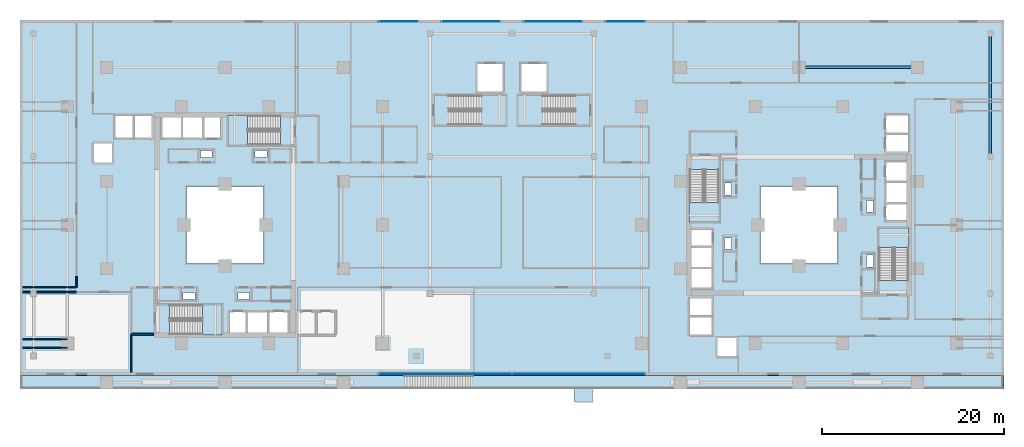
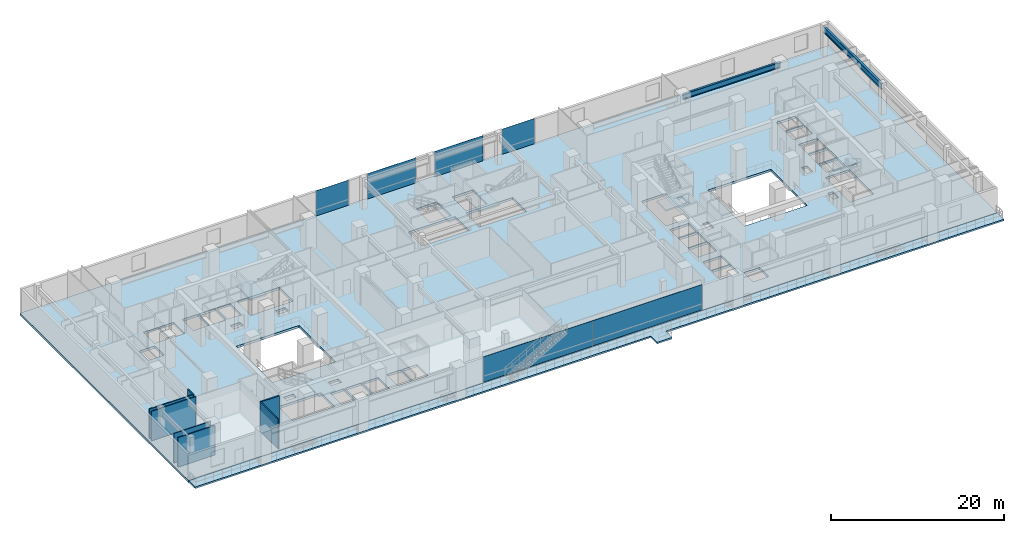
# One storey, part 10 of 22: 8 slabs, 7 walls, 6 plates, 2 beams, 11 elements without a shape of their own.
"""IFC4 building model written with IfcOpenShell, lengths in metres."""

from ifc_helpers import new_model, si_unit, direction, frame, frame_2d, origin, origin_2d, place, context, subcontext, project, spatial, polyline, rectangle, i_section, outline, extrude, material, layer, layer_set, material_profile, profile_set, type_object, element, aggregate, save


model = new_model("IFC4")

# Units and contexts
model_context = context("Model", 3, precision=1e-05, world=origin(), true_north=direction((0.0, 1.0)))
body_context = subcontext(model_context, "Body", "Model", "MODEL_VIEW")
ifc_project = project(units=[si_unit("LENGTHUNIT", "METRE"), si_unit("AREAUNIT", "SQUARE_METRE"), si_unit("VOLUMEUNIT", "CUBIC_METRE"), si_unit("PLANEANGLEUNIT", "RADIAN"), si_unit("MASSUNIT", "GRAM", prefix="KILO")], contexts=[model_context])

# Site, building, storey
site_placement = place(None, origin())
site = spatial("IfcSite", under=ifc_project, at=site_placement, CompositionType="ELEMENT")
building_placement = place(site_placement, origin())
building = spatial("IfcBuilding", under=site, at=building_placement, Name="Thornwick Lancets Civic Towers", CompositionType="ELEMENT")
storey_placement = place(building_placement, frame((0.0, 0.0, 18.60009765625)))
storey = spatial("IfcBuildingStorey", under=building, at=storey_placement, Name="L04", CompositionType="ELEMENT", Elevation=18.60009765625)

# Beams
ifc_material_1 = material(Name="Steel S355JR", Category="steel")
ifc_material_profile_1 = material_profile(ifc_material_1, i_section(OverallWidth=0.26806640625, OverallDepth=0.769775390625, WebThickness=0.015625, FlangeThickness=0.025390625, FilletRadius=0.0166015625, at=origin_2d()), Name="UKB 762x267x197")
ifc_profile_set_1 = profile_set([ifc_material_profile_1], Name="Steel S355JR")
beam_type_1 = type_object("IfcBeamType", Name="BM_GIRD_762_197", PredefinedType="BEAM", material=ifc_profile_set_1)
beam_1_placement = place(storey_placement, frame((101.5, 44.300048828125, 3.794921875), z_axis=(-1.0, 0.0, 0.0), x_axis=(0.0, -1.0, 0.0)))
element("IfcBeam", 1, at=beam_1_placement, inside=storey, type_object=beam_type_1, Name="BM-SPINE-L04-B-3-4", PredefinedType="BEAM", context=body_context, shape_type="SweptSolid", body=[
    extrude(i_section(OverallWidth=0.26806640625, OverallDepth=0.769775390625, WebThickness=0.015625, FlangeThickness=0.025390625, FilletRadius=0.0166015625, at=origin_2d()), origin(), (0.0, 0.0, 1.0), 13.0),
])
ifc_material_profile_2 = material_profile(ifc_material_1, i_section(OverallWidth=0.293701171875, OverallDepth=0.850830078125, WebThickness=0.01611328125, FlangeThickness=0.02685546875, FilletRadius=0.017822265625, at=origin_2d()), Name="UKB 838x292x226")
ifc_profile_set_2 = profile_set([ifc_material_profile_2], Name="Steel S355JR")
beam_type_2 = type_object("IfcBeamType", Name="BM_POD_838_226", PredefinedType="BEAM", material=ifc_profile_set_2)
beam_2_placement = place(storey_placement, frame((109.5, 34.580078125, 3.75439453125), z_axis=(0.0, 1.0, 0.0), x_axis=(-1.0, 0.0, 0.0)))
element("IfcBeam", 2, at=beam_2_placement, inside=storey, type_object=beam_type_2, Name="BM-PODG-L04-15-16", PredefinedType="BEAM", context=body_context, shape_type="SweptSolid", body=[
    extrude(i_section(OverallWidth=0.293701171875, OverallDepth=0.850830078125, WebThickness=0.01611328125, FlangeThickness=0.02685546875, FilletRadius=0.017822265625, at=origin_2d()), origin(), (0.0, 0.0, 1.0), 13.419921875),
])

# Curtain wall, plates
ifc_material_2 = material(Name="Terracotta-trimmed cascading podium ribbon curtain wall", Category="masonry")
curtain_wall_type = type_object("IfcCurtainWallType", Name="CW_SYS_02", PredefinedType="NOTDEFINED", material=ifc_material_2)
curtain_wall_1_placement = place(storey_placement, origin())
curtain_wall_1 = element("IfcCurtainWall", 3, at=curtain_wall_1_placement, inside=storey, type_object=curtain_wall_type, Name="L04 Curtain Wall CW-L04-POD-SC", PredefinedType="NOTDEFINED")
ifc_material_3 = material(Name="Low-e double glazing clear glass", Category="glass")
ifc_layer_1 = layer(ifc_material_3, 0.035888671875, Name="Low-e double glazing clear glass")
ifc_layer_set_1 = layer_set([ifc_layer_1], Name="Low-e double glazing clear glass")
plate_type = type_object("IfcPlateType", Name="CW_PNL_GLASS", PredefinedType="CURTAIN_PANEL", material=ifc_layer_set_1)
plate_1_placement = place(storey_placement, frame((49.699951171875, 10.659912109375, -0.000244140625), z_axis=(0.0, 0.0, 1.0), x_axis=(1.0, 0.0, 0.0)))
plate_1 = element("IfcPlate", 4, at=plate_1_placement, type_object=plate_type, Name="CW-L04-POD-SC Panel 0", PredefinedType="CURTAIN_PANEL", context=body_context, shape_type="SweptSolid", body=[
    extrude(rectangle(XDim=14.595947265625, YDim=0.035888671875, at=origin_2d()), origin(), (0.0, 0.0, 1.0), 3.56005859375),
])
plate_2_placement = place(storey_placement, frame((64.300048828125, 10.659912109375, -0.000244140625), z_axis=(0.0, 0.0, 1.0), x_axis=(1.0, 0.0, 0.0)))
plate_2 = element("IfcPlate", 5, at=plate_2_placement, type_object=plate_type, Name="CW-L04-POD-SC Panel 1", PredefinedType="CURTAIN_PANEL", context=body_context, shape_type="SweptSolid", body=[
    extrude(rectangle(XDim=14.595947265625, YDim=0.035888671875, at=origin_2d()), origin(), (0.0, 0.0, 1.0), 3.56005859375),
])
aggregate(curtain_wall_1, [plate_1, plate_2])

# Curtain wall, plate
curtain_wall_2_placement = place(storey_placement, origin())
curtain_wall_2 = element("IfcCurtainWall", 6, at=curtain_wall_2_placement, inside=storey, type_object=curtain_wall_type, Name="L04 Curtain Wall CW-L04-POD-NC-S1", PredefinedType="NOTDEFINED")
plate_3_placement = place(storey_placement, frame((69.425048828125, 49.340087890625, -0.000244140625), z_axis=(0.0, 0.0, 1.0), x_axis=(-1.0, 0.0, 0.0)))
plate_3 = element("IfcPlate", 7, at=plate_3_placement, type_object=plate_type, Name="CW-L04-POD-NC-S1 Panel 0", PredefinedType="CURTAIN_PANEL", context=body_context, shape_type="SweptSolid", body=[
    extrude(rectangle(XDim=4.345947265625, YDim=0.035888671875, at=origin_2d()), origin(), (0.0, 0.0, 1.0), 3.56005859375),
])
aggregate(curtain_wall_2, [plate_3])

curtain_wall_3_placement = place(storey_placement, origin())
curtain_wall_3 = element("IfcCurtainWall", 8, at=curtain_wall_3_placement, inside=storey, type_object=curtain_wall_type, Name="L04 Curtain Wall CW-L04-POD-NC-S2", PredefinedType="NOTDEFINED")
plate_4_placement = place(storey_placement, frame((61.5, 49.340087890625, -0.000244140625), z_axis=(0.0, 0.0, 1.0), x_axis=(-1.0, 0.0, 0.0)))
plate_4 = element("IfcPlate", 9, at=plate_4_placement, type_object=plate_type, Name="CW-L04-POD-NC-S2 Panel 0", PredefinedType="CURTAIN_PANEL", context=body_context, shape_type="SweptSolid", body=[
    extrude(rectangle(XDim=6.49609375, YDim=0.035888671875, at=origin_2d()), origin(), (0.0, 0.0, 1.0), 3.56005859375),
])
aggregate(curtain_wall_3, [plate_4])

curtain_wall_4_placement = place(storey_placement, origin())
curtain_wall_4 = element("IfcCurtainWall", 10, at=curtain_wall_4_placement, inside=storey, type_object=curtain_wall_type, Name="L04 Curtain Wall CW-L04-POD-NC-S3", PredefinedType="NOTDEFINED")
plate_5_placement = place(storey_placement, frame((52.5, 49.340087890625, -0.000244140625), z_axis=(0.0, 0.0, 1.0), x_axis=(-1.0, 0.0, 0.0)))
plate_5 = element("IfcPlate", 11, at=plate_5_placement, type_object=plate_type, Name="CW-L04-POD-NC-S3 Panel 0", PredefinedType="CURTAIN_PANEL", context=body_context, shape_type="SweptSolid", body=[
    extrude(rectangle(XDim=6.49609375, YDim=0.035888671875, at=origin_2d()), origin(), (0.0, 0.0, 1.0), 3.56005859375),
])
aggregate(curtain_wall_4, [plate_5])

curtain_wall_5_placement = place(storey_placement, origin())
curtain_wall_5 = element("IfcCurtainWall", 12, at=curtain_wall_5_placement, inside=storey, type_object=curtain_wall_type, Name="L04 Curtain Wall CW-L04-POD-NC-S4", PredefinedType="NOTDEFINED")
plate_6_placement = place(storey_placement, frame((44.574951171875, 49.340087890625, -0.000244140625), z_axis=(0.0, 0.0, 1.0), x_axis=(-1.0, 0.0, 0.0)))
plate_6 = element("IfcPlate", 13, at=plate_6_placement, type_object=plate_type, Name="CW-L04-POD-NC-S4 Panel 0", PredefinedType="CURTAIN_PANEL", context=body_context, shape_type="SweptSolid", body=[
    extrude(rectangle(XDim=4.345947265625, YDim=0.035888671875, at=origin_2d()), origin(), (0.0, 0.0, 1.0), 3.56005859375),
])
aggregate(curtain_wall_5, [plate_6])

# Stair, slab
ifc_material_4 = material(Name="Concrete C40/50", Category="concrete")
stair_type = type_object("IfcStairType", Name="STAIR_DL_4500", PredefinedType="HALF_TURN_STAIR", material=ifc_material_4)
stair_1_placement = place(storey_placement, origin())
stair_1 = element("IfcStair", 14, at=stair_1_placement, inside=storey, type_object=stair_type, Name="L04 Tower A South Exit Stair ST-A1", PredefinedType="HALF_TURN_STAIR")
ifc_layer_2 = layer(ifc_material_4, 0.25, Name="Concrete C40/50")
ifc_layer_set_2 = layer_set([ifc_layer_2], Name="Concrete C40/50")
slab_type_1 = type_object("IfcSlabType", Name="SLAB_LANDING_200", PredefinedType="LANDING", material=ifc_layer_set_2)
slab_1_placement = place(storey_placement, frame((0.0, 0.0, 2.052978515625)))
slab_1 = element("IfcSlab", 15, at=slab_1_placement, type_object=slab_type_1, Name="ST-A1 landing 1", PredefinedType="LANDING", context=body_context, shape_type="SweptSolid", body=[
    extrude(outline(polyline([(23.010009765625, 14.93994140625), (25.14990234375, 14.93994140625), (25.14990234375, 18.260009765625), (23.010009765625, 18.260009765625), (23.010009765625, 14.93994140625)])), origin(), (0.0, 0.0, 1.0), 0.199951171875),
])
aggregate(stair_1, [slab_1])

stair_2_placement = place(storey_placement, origin())
stair_2 = element("IfcStair", 16, at=stair_2_placement, inside=storey, type_object=stair_type, Name="L04 Tower A North Exit Stair ST-A2", PredefinedType="HALF_TURN_STAIR")
slab_2_placement = place(storey_placement, frame((0.0, 0.0, 2.052978515625)))
slab_2 = element("IfcSlab", 17, at=slab_2_placement, type_object=slab_type_1, Name="ST-A2 landing 1", PredefinedType="LANDING", context=body_context, shape_type="SweptSolid", body=[
    extrude(outline(polyline([(27.989990234375, 39.06005859375), (25.85009765625, 39.06005859375), (25.85009765625, 35.739990234375), (27.989990234375, 35.739990234375), (27.989990234375, 39.06005859375)])), origin(), (0.0, 0.0, 1.0), 0.199951171875),
])
aggregate(stair_2, [slab_2])

stair_3_placement = place(storey_placement, origin())
stair_3 = element("IfcStair", 18, at=stair_3_placement, inside=storey, type_object=stair_type, Name="L04 Tower B East Exit Stair ST-B1", PredefinedType="HALF_TURN_STAIR")
slab_3_placement = place(storey_placement, frame((0.0, 0.0, 2.052978515625)))
slab_3 = element("IfcSlab", 19, at=slab_3_placement, type_object=slab_type_1, Name="ST-B1 landing 1", PredefinedType="LANDING", context=body_context, shape_type="SweptSolid", body=[
    extrude(outline(polyline([(100.56005859375, 24.510009765625), (100.56005859375, 26.64990234375), (97.239990234375, 26.64990234375), (97.239990234375, 24.510009765625), (100.56005859375, 24.510009765625)])), origin(), (0.0, 0.0, 1.0), 0.199951171875),
])
aggregate(stair_3, [slab_3])

stair_4_placement = place(storey_placement, origin())
stair_4 = element("IfcStair", 20, at=stair_4_placement, inside=storey, type_object=stair_type, Name="L04 Tower B West Exit Stair ST-B2", PredefinedType="HALF_TURN_STAIR")
slab_4_placement = place(storey_placement, frame((0.0, 0.0, 2.052978515625)))
slab_4 = element("IfcSlab", 21, at=slab_4_placement, type_object=slab_type_1, Name="ST-B2 landing 1", PredefinedType="LANDING", context=body_context, shape_type="SweptSolid", body=[
    extrude(outline(polyline([(76.43994140625, 29.489990234375), (76.43994140625, 27.35009765625), (79.760009765625, 27.35009765625), (79.760009765625, 29.489990234375), (76.43994140625, 29.489990234375)])), origin(), (0.0, 0.0, 1.0), 0.199951171875),
])
aggregate(stair_4, [slab_4])

stair_5_placement = place(storey_placement, origin())
stair_5 = element("IfcStair", 22, at=stair_5_placement, inside=storey, type_object=stair_type, Name="L04 Podium Central West Exit Stair ST-P5", PredefinedType="HALF_TURN_STAIR")
slab_5_placement = place(storey_placement, frame((0.0, 0.0, 2.052978515625)))
slab_5 = element("IfcSlab", 23, at=slab_5_placement, type_object=slab_type_1, Name="ST-P5 landing 1", PredefinedType="LANDING", context=body_context, shape_type="SweptSolid", body=[
    extrude(outline(polyline([(53.610107421875, 37.93994140625), (56.35009765625, 37.93994140625), (56.35009765625, 41.260009765625), (53.610107421875, 41.260009765625), (53.610107421875, 37.93994140625)])), origin(), (0.0, 0.0, 1.0), 0.199951171875),
])
aggregate(stair_5, [slab_5])

stair_6_placement = place(storey_placement, origin())
stair_6 = element("IfcStair", 24, at=stair_6_placement, inside=storey, type_object=stair_type, Name="L04 Podium Central East Exit Stair ST-P6", PredefinedType="HALF_TURN_STAIR")
slab_6_placement = place(storey_placement, frame((0.0, 0.0, 2.052978515625)))
slab_6 = element("IfcSlab", 25, at=slab_6_placement, type_object=slab_type_1, Name="ST-P6 landing 1", PredefinedType="LANDING", context=body_context, shape_type="SweptSolid", body=[
    extrude(outline(polyline([(60.389892578125, 41.260009765625), (57.64990234375, 41.260009765625), (57.64990234375, 37.93994140625), (60.389892578125, 37.93994140625), (60.389892578125, 41.260009765625)])), origin(), (0.0, 0.0, 1.0), 0.199951171875),
])
aggregate(stair_6, [slab_6])

# Slabs
ifc_material_5 = material(Name="Post-tensioned concrete C40/50", Category="concrete")
ifc_layer_3 = layer(ifc_material_5, 0.320068359375, Name="Post-tensioned concrete C40/50")
ifc_layer_set_3 = layer_set([ifc_layer_3], Name="Post-tensioned concrete C40/50")
slab_type_2 = type_object("IfcSlabType", Name="SLAB_PT_320", PredefinedType="FLOOR", material=ifc_layer_set_3)
slab_7_placement = place(storey_placement, frame((0.0, 0.0, -0.320068359375)))
element("IfcSlab", 26, at=slab_7_placement, inside=storey, type_object=slab_type_2, Name="L04 Podium Structural Floor Slab", PredefinedType="FLOOR", context=body_context, shape_type="SweptSolid", body=[
    extrude(outline(polyline([(3.0, 10.5), (111.0, 10.5), (111.0, 49.5), (3.0, 49.5), (3.0, 10.5)]), holes=[polyline([(21.300048828125, 22.800048828125), (29.699951171875, 22.800048828125), (29.699951171875, 31.199951171875), (21.300048828125, 31.199951171875), (21.300048828125, 22.800048828125)]), polyline([(84.300048828125, 22.800048828125), (92.699951171875, 22.800048828125), (92.699951171875, 31.199951171875), (84.300048828125, 31.199951171875), (84.300048828125, 22.800048828125)]), polyline([(19.429931640625, 15.0), (25.10009765625, 15.0), (25.10009765625, 18.199951171875), (19.429931640625, 18.199951171875), (19.429931640625, 15.0)]), polyline([(31.570068359375, 39.0), (25.89990234375, 39.0), (25.89990234375, 35.800048828125), (31.570068359375, 35.800048828125), (31.570068359375, 39.0)]), polyline([(100.5, 20.929931640625), (100.5, 26.60009765625), (97.300048828125, 26.60009765625), (97.300048828125, 20.929931640625), (100.5, 20.929931640625)]), polyline([(76.5, 33.070068359375), (76.5, 27.39990234375), (79.699951171875, 27.39990234375), (79.699951171875, 33.070068359375), (76.5, 33.070068359375)]), polyline([(50.030029296875, 38.0), (56.300048828125, 38.0), (56.300048828125, 41.199951171875), (50.030029296875, 41.199951171875), (50.030029296875, 38.0)]), polyline([(63.969970703125, 41.199951171875), (57.699951171875, 41.199951171875), (57.699951171875, 38.0), (63.969970703125, 38.0), (63.969970703125, 41.199951171875)]), polyline([(26.0, 15.0), (27.800048828125, 15.0), (27.800048828125, 17.550048828125), (26.0, 17.550048828125), (26.0, 15.0)]), polyline([(97.949951171875, 27.5), (100.5, 27.5), (100.5, 29.300048828125), (97.949951171875, 29.300048828125), (97.949951171875, 27.5)]), polyline([(28.0, 15.0), (30.14990234375, 15.0), (30.14990234375, 17.550048828125), (28.0, 17.550048828125), (28.0, 15.0)]), polyline([(97.949951171875, 29.5), (100.5, 29.5), (100.5, 31.64990234375), (97.949951171875, 31.64990234375), (97.949951171875, 29.5)]), polyline([(30.35009765625, 15.0), (32.39990234375, 15.0), (32.39990234375, 17.550048828125), (30.35009765625, 17.550048828125), (30.35009765625, 15.0)]), polyline([(97.949951171875, 31.85009765625), (100.5, 31.85009765625), (100.5, 33.89990234375), (97.949951171875, 33.89990234375), (97.949951171875, 31.85009765625)]), polyline([(33.550048828125, 15.0), (35.449951171875, 15.0), (35.449951171875, 17.550048828125), (33.550048828125, 17.550048828125), (33.550048828125, 15.0)]), polyline([(97.949951171875, 35.050048828125), (100.5, 35.050048828125), (100.5, 36.949951171875), (97.949951171875, 36.949951171875), (97.949951171875, 35.050048828125)]), polyline([(35.60009765625, 15.0), (37.550048828125, 15.0), (37.550048828125, 17.550048828125), (35.60009765625, 17.550048828125), (35.60009765625, 15.0)]), polyline([(97.949951171875, 37.10009765625), (100.5, 37.10009765625), (100.5, 39.050048828125), (97.949951171875, 39.050048828125), (97.949951171875, 37.10009765625)]), polyline([(23.199951171875, 36.449951171875), (25.0, 36.449951171875), (25.0, 39.0), (23.199951171875, 39.0), (23.199951171875, 36.449951171875)]), polyline([(76.5, 24.699951171875), (79.050048828125, 24.699951171875), (79.050048828125, 26.5), (76.5, 26.5), (76.5, 24.699951171875)]), polyline([(20.85009765625, 36.449951171875), (23.0, 36.449951171875), (23.0, 39.0), (20.85009765625, 39.0), (20.85009765625, 36.449951171875)]), polyline([(76.5, 22.35009765625), (79.050048828125, 22.35009765625), (79.050048828125, 24.5), (76.5, 24.5), (76.5, 22.35009765625)]), polyline([(18.60009765625, 36.449951171875), (20.699951171875, 36.449951171875), (20.699951171875, 39.0), (18.60009765625, 39.0), (18.60009765625, 36.449951171875)]), polyline([(76.5, 20.10009765625), (79.050048828125, 20.10009765625), (79.050048828125, 22.199951171875), (76.5, 22.199951171875), (76.5, 20.10009765625)]), polyline([(15.550048828125, 36.449951171875), (17.449951171875, 36.449951171875), (17.449951171875, 39.0), (15.550048828125, 39.0), (15.550048828125, 36.449951171875)]), polyline([(76.5, 17.050048828125), (79.050048828125, 17.050048828125), (79.050048828125, 18.949951171875), (76.5, 18.949951171875), (76.5, 17.050048828125)]), polyline([(13.449951171875, 36.449951171875), (15.39990234375, 36.449951171875), (15.39990234375, 39.0), (13.449951171875, 39.0), (13.449951171875, 36.449951171875)]), polyline([(76.5, 14.949951171875), (79.050048828125, 14.949951171875), (79.050048828125, 16.89990234375), (76.5, 16.89990234375), (76.5, 14.949951171875)]), polyline([(11.10009765625, 33.85009765625), (13.199951171875, 33.85009765625), (13.199951171875, 35.949951171875), (11.10009765625, 35.949951171875), (11.10009765625, 33.85009765625)]), polyline([(79.550048828125, 12.60009765625), (81.64990234375, 12.60009765625), (81.64990234375, 14.699951171875), (79.550048828125, 14.699951171875), (79.550048828125, 12.60009765625)]), polyline([(53.199951171875, 41.60009765625), (56.0, 41.60009765625), (56.0, 44.800048828125), (53.199951171875, 44.800048828125), (53.199951171875, 41.60009765625)]), polyline([(58.0, 41.60009765625), (60.800048828125, 41.60009765625), (60.800048828125, 44.800048828125), (58.0, 44.800048828125), (58.0, 41.60009765625)]), polyline([(26.89990234375, 18.85009765625), (28.199951171875, 18.85009765625), (28.199951171875, 19.580078125), (26.89990234375, 19.580078125), (26.89990234375, 18.85009765625)]), polyline([(20.89990234375, 18.85009765625), (22.199951171875, 18.85009765625), (22.199951171875, 19.580078125), (20.89990234375, 19.580078125), (20.89990234375, 18.85009765625)]), polyline([(22.800048828125, 34.419921875), (24.10009765625, 34.419921875), (24.10009765625, 35.14990234375), (22.800048828125, 35.14990234375), (22.800048828125, 34.419921875)]), polyline([(28.800048828125, 34.419921875), (30.10009765625, 34.419921875), (30.10009765625, 35.14990234375), (28.800048828125, 35.14990234375), (28.800048828125, 34.419921875)]), polyline([(95.919921875, 28.39990234375), (96.64990234375, 28.39990234375), (96.64990234375, 29.699951171875), (95.919921875, 29.699951171875), (95.919921875, 28.39990234375)]), polyline([(95.919921875, 22.39990234375), (96.64990234375, 22.39990234375), (96.64990234375, 23.699951171875), (95.919921875, 23.699951171875), (95.919921875, 22.39990234375)]), polyline([(80.35009765625, 24.300048828125), (81.080078125, 24.300048828125), (81.080078125, 25.60009765625), (80.35009765625, 25.60009765625), (80.35009765625, 24.300048828125)]), polyline([(80.35009765625, 30.300048828125), (81.080078125, 30.300048828125), (81.080078125, 31.60009765625), (80.35009765625, 31.60009765625), (80.35009765625, 30.300048828125)])]), origin(), (0.0, 0.0, 1.0), 0.320068359375),
])
ifc_layer_4 = layer(ifc_material_4, 0.219970703125, Name="Concrete C40/50")
ifc_layer_set_4 = layer_set([ifc_layer_4], Name="Concrete C40/50")
slab_type_3 = type_object("IfcSlabType", Name="SLAB_TERRACE_220", PredefinedType="FLOOR", material=ifc_layer_set_4)
slab_8_placement = place(storey_placement, frame((0.0, 0.0, -0.22021484375)))
element("IfcSlab", 27, at=slab_8_placement, inside=storey, type_object=slab_type_3, Name="L04 Cascading Garden Terrace Slab", PredefinedType="FLOOR", context=body_context, shape_type="SweptSolid", body=[
    extrude(outline(polyline([(3.0, 9.0), (3.0, 10.5), (111.0, 10.5), (111.0, 9.0), (65.840087890625, 9.0), (65.840087890625, 7.550048828125), (63.860107421875, 7.550048828125), (63.860107421875, 9.0), (3.0, 9.0)])), origin(), (0.0, 0.0, 1.0), 0.22021484375),
])

# Walls
ifc_material_6 = material(Name="Concrete blockwork C40/50", Category="masonry")
ifc_layer_5 = layer(ifc_material_6, 0.199951171875, Name="Concrete blockwork C40/50")
ifc_layer_set_5 = layer_set([ifc_layer_5], Name="Concrete blockwork C40/50")
wall_type_1 = type_object("IfcWallType", Name="WALL_COMP_200", PredefinedType="STANDARD", material=ifc_layer_set_5)
wall_1_placement = place(storey_placement, frame((15.199951171875, 15.0, 0.0), z_axis=(0.0, 0.0, 1.0), x_axis=(1.0, 0.0, 0.0)))
element("IfcWall", 28, at=wall_1_placement, inside=storey, type_object=wall_type_1, Name="L04 Partition L04-A-FFLOB1 E1", PredefinedType="STANDARD", context=body_context, shape_type="SweptSolid", body=[
    extrude(rectangle(XDim=2.5, YDim=0.199951171875, at=frame_2d((1.25, 0.0))), origin(), (0.0, 0.0, 1.0), 4.159912109375),
])
ifc_material_7 = material(Name="Acoustic gypsum board partition")
ifc_layer_6 = layer(ifc_material_7, 0.1201171875, Name="Acoustic gypsum board partition")
ifc_layer_set_6 = layer_set([ifc_layer_6], Name="Acoustic gypsum board partition")
wall_type_2 = type_object("IfcWallType", Name="WALL_PART_120", PredefinedType="PARTITIONING", material=ifc_layer_set_6)
wall_2_placement = place(storey_placement, frame((15.199951171875, 15.0, 0.0), z_axis=(0.0, 0.0, 1.0), x_axis=(0.0, -1.0, 0.0)))
element("IfcWall", 29, at=wall_2_placement, inside=storey, type_object=wall_type_2, Name="L04 Partition L04-MINW E3", PredefinedType="PARTITIONING", context=body_context, shape_type="SweptSolid", body=[
    extrude(rectangle(XDim=4.179931640625, YDim=0.1201171875, at=frame_2d((2.08984375, 0.0))), origin(), (0.0, 0.0, 1.0), 4.159912109375),
])
for number, where, z_axis, x_axis, name in (
    (30, (3.300048828125, 13.52001953125, 0.0), (0.0, 0.0, 1.0), (1.0, 0.0, 0.0), "L04 Partition L04-MINW E6"),
    (31, (8.199951171875, 14.47998046875, 0.0), (0.0, 0.0, 1.0), (-1.0, 0.0, 0.0), "L04 Partition L04-MINW E8"),
):
    element("IfcWall", number, at=place(storey_placement, frame(where, z_axis=z_axis, x_axis=x_axis)), inside=storey, type_object=wall_type_2, Name=name, PredefinedType="PARTITIONING", context=body_context, shape_type="SweptSolid", body=[
        extrude(rectangle(XDim=4.89990234375, YDim=0.1201171875, at=frame_2d((2.449951171875, 0.0))), origin(), (0.0, 0.0, 1.0), 4.159912109375),
    ])
wall_3_placement = place(storey_placement, frame((3.300048828125, 19.64990234375, 0.0), z_axis=(0.0, 0.0, 1.0), x_axis=(1.0, 0.0, 0.0)))
element("IfcWall", 32, at=wall_3_placement, inside=storey, type_object=wall_type_2, Name="L04 Partition L04-MINW E10", PredefinedType="PARTITIONING", context=body_context, shape_type="SweptSolid", body=[
    extrude(rectangle(XDim=5.89990234375, YDim=0.1201171875, at=frame_2d((2.949951171875, 0.0))), origin(), (0.0, 0.0, 1.0), 4.159912109375),
])
wall_4_placement = place(storey_placement, frame((9.199951171875, 21.39990234375, 0.0), z_axis=(0.0, 0.0, 1.0), x_axis=(0.0, -1.0, 0.0)))
element("IfcWall", 33, at=wall_4_placement, inside=storey, type_object=wall_type_2, Name="L04 Partition L04-WSUITE E2", PredefinedType="PARTITIONING", context=body_context, shape_type="SweptSolid", body=[
    extrude(rectangle(XDim=1.25, YDim=0.1201171875, at=frame_2d((0.625, 0.0))), origin(), (0.0, 0.0, 1.0), 4.159912109375),
])
wall_5_placement = place(storey_placement, frame((9.199951171875, 20.14990234375, 0.0), z_axis=(0.0, 0.0, 1.0), x_axis=(-1.0, 0.0, 0.0)))
element("IfcWall", 34, at=wall_5_placement, inside=storey, type_object=wall_type_2, Name="L04 Partition L04-WSUITE E3", PredefinedType="PARTITIONING", context=body_context, shape_type="SweptSolid", body=[
    extrude(rectangle(XDim=5.89990234375, YDim=0.1201171875, at=frame_2d((2.949951171875, 0.0))), origin(), (0.0, 0.0, 1.0), 4.159912109375),
])

save(model, "model.ifc")
